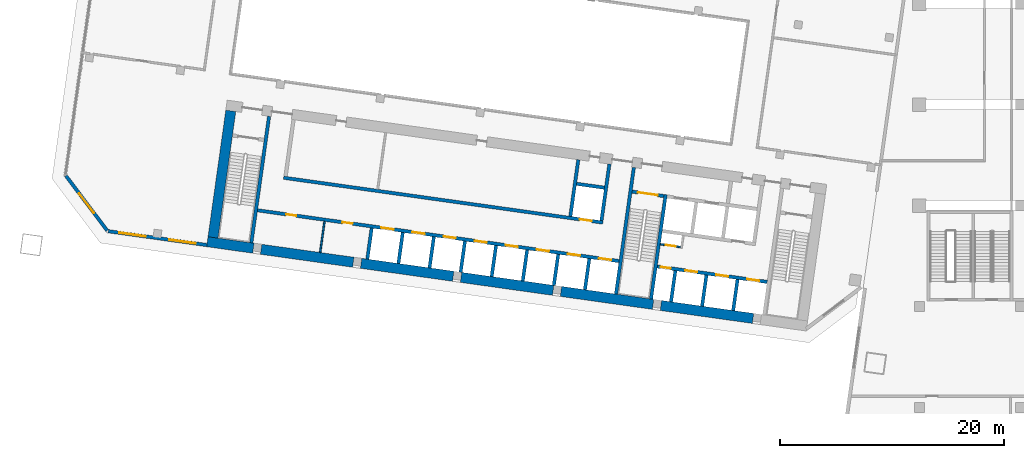
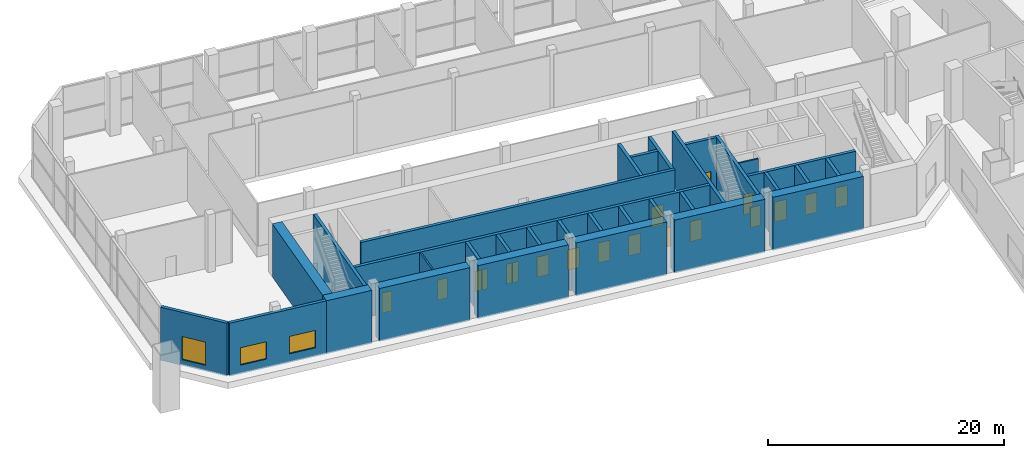
# One storey, part 9 of 24: 32 walls, 17 doors, 3 windows, 20 openings.
"""IFC4 building model written with IfcOpenShell, lengths in metres."""

from ifc_helpers import new_model, si_unit, direction, frame, frame_2d, origin, place, context, subcontext, project, spatial, rectangle, extrude, material, layer, layer_set, type_object, element, fill, save


model = new_model("IFC4")

# Units and contexts
model_context = context("Model", 3, precision=1e-05, world=origin(), true_north=direction((0.0, 1.0)))
body_context = subcontext(model_context, "Body", "Model", "MODEL_VIEW")
ifc_project = project(units=[si_unit("LENGTHUNIT", "METRE"), si_unit("AREAUNIT", "SQUARE_METRE"), si_unit("VOLUMEUNIT", "CUBIC_METRE"), si_unit("PLANEANGLEUNIT", "RADIAN"), si_unit("MASSUNIT", "GRAM", prefix="KILO")], contexts=[model_context])

# Site, building, storey
site_placement = place(None, origin())
site = spatial("IfcSite", under=ifc_project, at=site_placement, CompositionType="ELEMENT")
building_placement = place(site_placement, origin())
building = spatial("IfcBuilding", under=site, at=building_placement, Name="Mirante Cascada Hotel Towers", CompositionType="ELEMENT")
storey_placement = place(building_placement, frame((0.0, 0.0, 17.5)))
storey = spatial("IfcBuildingStorey", under=building, at=storey_placement, Name="L02", CompositionType="ELEMENT", Elevation=17.5)

# Wall, opening, door
ifc_material_1 = material(Name="Masonry block", Category="masonry")
ifc_layer_1 = layer(ifc_material_1, 0.15)
ifc_layer_set_1 = layer_set([ifc_layer_1], Name="Core room partition 150 block EI 30")
wall_type_1 = type_object("IfcWallType", Name="Core room partition 150 block EI 30", PredefinedType="PARTITIONING", material=ifc_layer_set_1)
wall_1_placement = place(storey_placement, frame((-48.2933, -12.7083, 0.0), z_axis=(0.0, 0.0, 1.0), x_axis=(-0.990268, 0.1391734, 0.0)))
wall_1 = element("IfcWall", 1, at=wall_1_placement, inside=storey, type_object=wall_type_1, Name="Core wall partition T1 L02 3", PredefinedType="PARTITIONING", context=body_context, shape_type="SweptSolid", body=[
    extrude(rectangle(XDim=1.8251, YDim=0.15, at=frame_2d((0.9126, 0.0))), origin(), (0.0, 0.0, 1.0), 5.5),
])
opening_1_placement = place(wall_1_placement, frame((0.4625, 0.0, 0.0)))
opening_1 = element("IfcOpeningElement", 2, at=opening_1_placement, cuts=wall_1, Name="Opening D1-02-C26", PredefinedType="OPENING", context=body_context, shape_type="SweptSolid", body=[
    extrude(rectangle(XDim=0.9, YDim=2.1, at=frame_2d((0.45, 1.05))), frame((0.0, 0.075, 0.0), z_axis=(0.0, -1.0, 0.0), x_axis=(1.0, 0.0, 0.0)), (0.0, 0.0, 1.0), 0.15),
])
ifc_material_2 = material(Name="Hollow metal fire door leaf")
door_type_1 = type_object("IfcDoorType", Name="Fire door 900x2100 FD60", OperationType="NOTDEFINED", PredefinedType="DOOR", material=ifc_material_2)
door_1_placement = place(opening_1_placement, origin())
door_1 = element("IfcDoor", 3, at=door_1_placement, inside=storey, type_object=door_type_1, Name="Riser door T1 L02 26", OperationType="SINGLE_SWING_RIGHT", OverallHeight=2.1, OverallWidth=0.9, PredefinedType="DOOR", context=body_context, shape_type="SweptSolid", body=[
    extrude(rectangle(XDim=0.9, YDim=2.1, at=frame_2d((0.45, 1.05))), frame((0.0, 0.025, 0.0), z_axis=(0.0, -1.0, 0.0), x_axis=(1.0, 0.0, 0.0)), (0.0, 0.0, 1.0), 0.05),
])
fill(opening_1, door_1)

# Wall
wall_2_placement = place(storey_placement, frame((-80.448, -13.1879, 0.0), z_axis=(0.0, 0.0, 1.0), x_axis=(0.139176, 0.9902677, 0.0)))
element("IfcWall", 4, at=wall_2_placement, inside=storey, type_object=wall_type_1, Name="Core wall partition T1 L02 4", PredefinedType="PARTITIONING", context=body_context, shape_type="SweptSolid", body=[
    extrude(rectangle(XDim=2.8001, YDim=0.15, at=frame_2d((1.4, 0.0))), origin(), (0.0, 0.0, 1.0), 5.5),
])

# Wall, openings, windows
ifc_material_3 = material(Name="Precast concrete C40/50", Category="concrete")
ifc_layer_2 = layer(ifc_material_3, 0.3)
ifc_layer_set_2 = layer_set([ifc_layer_2], Name="Precast concrete C40/50 cladding wall 300")
wall_type_2 = type_object("IfcWallType", Name="Precast concrete C40/50 cladding wall 300", PredefinedType="STANDARD", material=ifc_layer_set_2)
wall_3_placement = place(storey_placement, frame((-90.5541, -12.5249, 0.0), z_axis=(0.0, 0.0, 1.0), x_axis=(-0.9902676, 0.1391765, 0.0)))
wall_3 = element("IfcWall", 5, at=wall_3_placement, inside=storey, type_object=wall_type_2, Name="Rear cladding wall T1 L02 1", PredefinedType="STANDARD", context=body_context, shape_type="SweptSolid", body=[
    extrude(rectangle(XDim=8.8758, YDim=0.3, at=frame_2d((4.4379, 0.0))), origin(), (0.0, 0.0, 1.0), 5.5),
])
opening_2_placement = place(wall_3_placement, frame((1.0012, 0.0, 0.9)))
opening_2 = element("IfcOpeningElement", 6, at=opening_2_placement, cuts=wall_3, Name="Opening W1-02-01", PredefinedType="OPENING", context=body_context, shape_type="SweptSolid", body=[
    extrude(rectangle(XDim=2.4, YDim=1.8, at=frame_2d((1.2, 0.9))), frame((0.0, 0.15, 0.0), z_axis=(0.0, -1.0, 0.0), x_axis=(1.0, 0.0, 0.0)), (0.0, 0.0, 1.0), 0.3),
])
opening_3_placement = place(wall_3_placement, frame((5.4923, 0.0, 0.9)))
opening_3 = element("IfcOpeningElement", 7, at=opening_3_placement, cuts=wall_3, Name="Opening W1-02-02", PredefinedType="OPENING", context=body_context, shape_type="SweptSolid", body=[
    extrude(rectangle(XDim=2.4, YDim=1.8, at=frame_2d((1.2, 0.9))), frame((0.0, 0.15, 0.0), z_axis=(0.0, -1.0, 0.0), x_axis=(1.0, 0.0, 0.0)), (0.0, 0.0, 1.0), 0.3),
])
ifc_material_4 = material(Name="Aluminium frame with clear double glazing", Category="aluminium")
window_type_1 = type_object("IfcWindowType", Name="Punched window 2400x1800", PartitioningType="DOUBLE_PANEL_VERTICAL", PredefinedType="WINDOW", material=ifc_material_4)
window_1_placement = place(opening_2_placement, origin())
window_1 = element("IfcWindow", 8, at=window_1_placement, inside=storey, type_object=window_type_1, Name="Window W1-02-01", OverallHeight=1.8, OverallWidth=2.4, PartitioningType="SINGLE_PANEL", PredefinedType="WINDOW", context=body_context, shape_type="SweptSolid", body=[
    extrude(rectangle(XDim=2.4, YDim=1.8, at=frame_2d((1.2, 0.9))), frame((0.0, 0.03, 0.0), z_axis=(0.0, -1.0, 0.0), x_axis=(1.0, 0.0, 0.0)), (0.0, 0.0, 1.0), 0.06),
])
fill(opening_2, window_1)
window_2_placement = place(opening_3_placement, origin())
window_2 = element("IfcWindow", 9, at=window_2_placement, inside=storey, type_object=window_type_1, Name="Window W1-02-02", OverallHeight=1.8, OverallWidth=2.4, PartitioningType="SINGLE_PANEL", PredefinedType="WINDOW", context=body_context, shape_type="SweptSolid", body=[
    extrude(rectangle(XDim=2.4, YDim=1.8, at=frame_2d((1.2, 0.9))), frame((0.0, 0.03, 0.0), z_axis=(0.0, -1.0, 0.0), x_axis=(1.0, 0.0, 0.0)), (0.0, 0.0, 1.0), 0.06),
])
fill(opening_3, window_2)

# Wall, opening, window
wall_4_placement = place(storey_placement, frame((-99.4424, -11.2313, 0.0), z_axis=(0.0, 0.0, 1.0), x_axis=(-0.6018194, 0.7986322, 0.0)))
wall_4 = element("IfcWall", 10, at=wall_4_placement, inside=storey, type_object=wall_type_2, Name="Corner cladding wall T1 L02 rear outer", PredefinedType="STANDARD", context=body_context, shape_type="SweptSolid", body=[
    extrude(rectangle(XDim=6.1155, YDim=0.3, at=frame_2d((3.0578, 0.0))), origin(), (0.0, 0.0, 1.0), 5.5),
])
opening_4_placement = place(wall_4_placement, frame((1.9576, 0.0, 0.6)))
opening_4 = element("IfcOpeningElement", 11, at=opening_4_placement, cuts=wall_4, Name="Opening W1-02-03", PredefinedType="OPENING", context=body_context, shape_type="SweptSolid", body=[
    extrude(rectangle(XDim=2.2, YDim=2.4, at=frame_2d((1.1, 1.2))), frame((0.0, 0.15, 0.0), z_axis=(0.0, -1.0, 0.0), x_axis=(1.0, 0.0, 0.0)), (0.0, 0.0, 1.0), 0.3),
])
ifc_material_5 = material(Name="Aluminium frame with clear double glazing", Category="aluminium")
window_type_2 = type_object("IfcWindowType", Name="Corner suite window 2200x2400", PartitioningType="DOUBLE_PANEL_VERTICAL", PredefinedType="WINDOW", material=ifc_material_5)
window_3_placement = place(opening_4_placement, origin())
window_3 = element("IfcWindow", 12, at=window_3_placement, inside=storey, type_object=window_type_2, Name="Window W1-02-03", OverallHeight=2.4, OverallWidth=2.2, PartitioningType="SINGLE_PANEL", PredefinedType="WINDOW", context=body_context, shape_type="SweptSolid", body=[
    extrude(rectangle(XDim=2.2, YDim=2.4, at=frame_2d((1.1, 1.2))), frame((0.0, 0.03, 0.0), z_axis=(0.0, -1.0, 0.0), x_axis=(1.0, 0.0, 0.0)), (0.0, 0.0, 1.0), 0.06),
])
fill(opening_4, window_3)

# Walls
ifc_material_6 = material(Name="Concrete C50/60", Category="concrete")
ifc_layer_3 = layer(ifc_material_6, 0.3)
ifc_layer_set_3 = layer_set([ifc_layer_3], Name="RC core wall 300 C50/60")
wall_type_3 = type_object("IfcWallType", Name="RC core wall 300 C50/60", PredefinedType="SHEAR", material=ifc_layer_set_3)
wall_5_placement = place(storey_placement, frame((-50.938, -17.3352, 0.0), z_axis=(0.0, 0.0, 1.0), x_axis=(0.1391706, 0.9902684, 0.0)))
element("IfcWall", 13, at=wall_5_placement, inside=storey, type_object=wall_type_3, Name="Core wall T1:L02:6", PredefinedType="SHEAR", context=body_context, shape_type="SweptSolid", body=[
    extrude(rectangle(XDim=9.4, YDim=0.3, at=frame_2d((4.7, 0.0))), origin(), (0.0, 0.0, 1.0), 5.5),
])
wall_6_placement = place(storey_placement, frame((-54.0574, -16.8968, 0.0), z_axis=(0.0, 0.0, 1.0), x_axis=(0.1391761, 0.9902677, 0.0)))
element("IfcWall", 14, at=wall_6_placement, inside=storey, type_object=wall_type_3, Name="Core wall T1:L02:7", PredefinedType="SHEAR", context=body_context, shape_type="SweptSolid", body=[
    extrude(rectangle(XDim=11.3999, YDim=0.3, at=frame_2d((5.7, 0.0))), origin(), (0.0, 0.0, 1.0), 5.5),
])
wall_7_placement = place(storey_placement, frame((-86.5877, -12.325, 0.0), z_axis=(0.0, 0.0, 1.0), x_axis=(0.1391749, 0.9902678, 0.0)))
element("IfcWall", 15, at=wall_7_placement, inside=storey, type_object=wall_type_3, Name="Core wall T1:L02:8", PredefinedType="SHEAR", context=body_context, shape_type="SweptSolid", body=[
    extrude(rectangle(XDim=11.4, YDim=0.3, at=frame_2d((5.7, 0.0))), origin(), (0.0, 0.0, 1.0), 5.5),
])

# Wall, opening, door
wall_8_placement = place(storey_placement, frame((-49.7992, -8.1544, 0.0), z_axis=(0.0, 0.0, 1.0), x_axis=(-0.9902656, 0.1391909, 0.0)))
wall_8 = element("IfcWall", 16, at=wall_8_placement, inside=storey, type_object=wall_type_3, Name="Core wall T1:L02:10", PredefinedType="SHEAR", context=body_context, shape_type="SweptSolid", body=[
    extrude(rectangle(XDim=2.85, YDim=0.3, at=frame_2d((1.425, 0.0))), origin(), (0.0, 0.0, 1.0), 5.5),
])
opening_5_placement = place(wall_8_placement, frame((0.525, 0.0, 0.0)))
opening_5 = element("IfcOpeningElement", 17, at=opening_5_placement, cuts=wall_8, Name="Opening D1-02-C18", PredefinedType="OPENING", context=body_context, shape_type="SweptSolid", body=[
    extrude(rectangle(XDim=1.8, YDim=2.1, at=frame_2d((0.9, 1.05))), frame((0.0, 0.15, 0.0), z_axis=(0.0, -1.0, 0.0), x_axis=(1.0, 0.0, 0.0)), (0.0, 0.0, 1.0), 0.3),
])
ifc_material_7 = material(Name="Hollow metal fire door leaf")
door_type_2 = type_object("IfcDoorType", Name="Double fire door 1800x2100 FD60", OperationType="DOUBLE_DOOR_SINGLE_SWING", PredefinedType="DOOR", material=ifc_material_7)
door_2_placement = place(opening_5_placement, origin())
door_2 = element("IfcDoor", 18, at=door_2_placement, inside=storey, type_object=door_type_2, Name="Stair door T1 L02 18", OperationType="DOUBLE_DOOR_SINGLE_SWING", OverallHeight=2.1, OverallWidth=1.8, PredefinedType="DOOR", context=body_context, shape_type="SweptSolid", body=[
    extrude(rectangle(XDim=0.895, YDim=2.1, at=frame_2d((0.4475, 1.05))), frame((0.0, 0.025, 0.0), z_axis=(0.0, -1.0, 0.0), x_axis=(1.0, 0.0, 0.0)), (0.0, 0.0, 1.0), 0.05),
    extrude(rectangle(XDim=0.895, YDim=2.1, at=frame_2d((1.3525, 1.05))), frame((0.0, 0.025, 0.0), z_axis=(0.0, -1.0, 0.0), x_axis=(1.0, 0.0, 0.0)), (0.0, 0.0, 1.0), 0.05),
])
fill(opening_5, door_2)

# Wall, openings, doors
wall_9_placement = place(storey_placement, frame((-40.5753, -15.8126, 0.0), z_axis=(0.0, 0.0, 1.0), x_axis=(-0.9902682, 0.1391725, 0.0)))
wall_9 = element("IfcWall", 19, at=wall_9_placement, inside=storey, type_object=wall_type_3, Name="Core wall T1:L02:12", PredefinedType="SHEAR", context=body_context, shape_type="SweptSolid", body=[
    extrude(rectangle(XDim=9.8999, YDim=0.3, at=frame_2d((4.95, 0.0))), origin(), (0.0, 0.0, 1.0), 5.5),
])
opening_6_placement = place(wall_9_placement, frame((0.7, 0.0, 0.0)))
opening_6 = element("IfcOpeningElement", 20, at=opening_6_placement, cuts=wall_9, Name="Opening LD", PredefinedType="OPENING", context=body_context, shape_type="SweptSolid", body=[
    extrude(rectangle(XDim=1.1, YDim=2.1, at=frame_2d((0.55, 1.05))), frame((0.0, 0.15, 0.0), z_axis=(0.0, -1.0, 0.0), x_axis=(1.0, 0.0, 0.0)), (0.0, 0.0, 1.0), 0.3),
])
opening_7_placement = place(wall_9_placement, frame((3.5, 0.0, 0.0)))
opening_7 = element("IfcOpeningElement", 21, at=opening_7_placement, cuts=wall_9, Name="Opening LD", PredefinedType="OPENING", context=body_context, shape_type="SweptSolid", body=[
    extrude(rectangle(XDim=1.1, YDim=2.1, at=frame_2d((0.55, 1.05))), frame((0.0, 0.15, 0.0), z_axis=(0.0, -1.0, 0.0), x_axis=(1.0, 0.0, 0.0)), (0.0, 0.0, 1.0), 0.3),
])
opening_8_placement = place(wall_9_placement, frame((6.3, 0.0, 0.0)))
opening_8 = element("IfcOpeningElement", 22, at=opening_8_placement, cuts=wall_9, Name="Opening LD", PredefinedType="OPENING", context=body_context, shape_type="SweptSolid", body=[
    extrude(rectangle(XDim=1.1, YDim=2.1, at=frame_2d((0.55, 1.05))), frame((0.0, 0.15, 0.0), z_axis=(0.0, -1.0, 0.0), x_axis=(1.0, 0.0, 0.0)), (0.0, 0.0, 1.0), 0.3),
])
opening_9_placement = place(wall_9_placement, frame((8.7, 0.0, 0.0)))
opening_9 = element("IfcOpeningElement", 23, at=opening_9_placement, cuts=wall_9, Name="Opening D1-02-C25", PredefinedType="OPENING", context=body_context, shape_type="SweptSolid", body=[
    extrude(rectangle(XDim=0.9, YDim=2.1, at=frame_2d((0.45, 1.05))), frame((0.0, 0.15, 0.0), z_axis=(0.0, -1.0, 0.0), x_axis=(1.0, 0.0, 0.0)), (0.0, 0.0, 1.0), 0.3),
])
door_3_placement = place(opening_9_placement, origin())
door_3 = element("IfcDoor", 24, at=door_3_placement, inside=storey, type_object=door_type_1, Name="Riser door T1 L02 25", OperationType="SINGLE_SWING_LEFT", OverallHeight=2.1, OverallWidth=0.9, PredefinedType="DOOR", context=body_context, shape_type="SweptSolid", body=[
    extrude(rectangle(XDim=0.9, YDim=2.1, at=frame_2d((0.45, 1.05))), frame((0.0, 0.025, 0.0), z_axis=(0.0, -1.0, 0.0), x_axis=(1.0, 0.0, 0.0)), (0.0, 0.0, 1.0), 0.05),
])
fill(opening_9, door_3)
ifc_material_8 = material(Name="Stainless steel", Category="steel")
door_type_3 = type_object("IfcDoorType", Name="Lift landing door 1100x2100 EI 120", OperationType="DOUBLE_DOOR_SLIDING", PredefinedType="DOOR", material=ifc_material_8)
door_4_placement = place(opening_6_placement, origin())
door_4 = element("IfcDoor", 25, at=door_4_placement, inside=storey, type_object=door_type_3, Name="Lift landing door HR1-1 L02", OperationType="DOUBLE_DOOR_SLIDING", OverallHeight=2.1, OverallWidth=1.1, PredefinedType="DOOR", context=body_context, shape_type="SweptSolid", body=[
    extrude(rectangle(XDim=0.545, YDim=2.1, at=frame_2d((0.2725, 1.05))), frame((0.0, 0.025, 0.0), z_axis=(0.0, -1.0, 0.0), x_axis=(1.0, 0.0, 0.0)), (0.0, 0.0, 1.0), 0.05),
    extrude(rectangle(XDim=0.545, YDim=2.1, at=frame_2d((0.8275, 1.05))), frame((0.0, 0.025, 0.0), z_axis=(0.0, -1.0, 0.0), x_axis=(1.0, 0.0, 0.0)), (0.0, 0.0, 1.0), 0.05),
])
fill(opening_6, door_4)
door_5_placement = place(opening_7_placement, origin())
door_5 = element("IfcDoor", 26, at=door_5_placement, inside=storey, type_object=door_type_3, Name="Lift landing door HR1-2 L02", OperationType="DOUBLE_DOOR_SLIDING", OverallHeight=2.1, OverallWidth=1.1, PredefinedType="DOOR", context=body_context, shape_type="SweptSolid", body=[
    extrude(rectangle(XDim=0.545, YDim=2.1, at=frame_2d((0.2725, 1.05))), frame((0.0, 0.025, 0.0), z_axis=(0.0, -1.0, 0.0), x_axis=(1.0, 0.0, 0.0)), (0.0, 0.0, 1.0), 0.05),
    extrude(rectangle(XDim=0.545, YDim=2.1, at=frame_2d((0.8275, 1.05))), frame((0.0, 0.025, 0.0), z_axis=(0.0, -1.0, 0.0), x_axis=(1.0, 0.0, 0.0)), (0.0, 0.0, 1.0), 0.05),
])
fill(opening_7, door_5)
door_6_placement = place(opening_8_placement, origin())
door_6 = element("IfcDoor", 27, at=door_6_placement, inside=storey, type_object=door_type_3, Name="Lift landing door HR1-3 L02", OperationType="DOUBLE_DOOR_SLIDING", OverallHeight=2.1, OverallWidth=1.1, PredefinedType="DOOR", context=body_context, shape_type="SweptSolid", body=[
    extrude(rectangle(XDim=0.545, YDim=2.1, at=frame_2d((0.2725, 1.05))), frame((0.0, 0.025, 0.0), z_axis=(0.0, -1.0, 0.0), x_axis=(1.0, 0.0, 0.0)), (0.0, 0.0, 1.0), 0.05),
    extrude(rectangle(XDim=0.545, YDim=2.1, at=frame_2d((0.8275, 1.05))), frame((0.0, 0.025, 0.0), z_axis=(0.0, -1.0, 0.0), x_axis=(1.0, 0.0, 0.0)), (0.0, 0.0, 1.0), 0.05),
])
fill(opening_8, door_6)

# Walls
wall_10_placement = place(storey_placement, frame((-43.61, -18.3651, 0.0), z_axis=(0.0, 0.0, 1.0), x_axis=(0.1391459, 0.9902719, 0.0)))
element("IfcWall", 28, at=wall_10_placement, inside=storey, type_object=wall_type_3, Name="Core wall T1:L02:15", PredefinedType="SHEAR", context=body_context, shape_type="SweptSolid", body=[
    extrude(rectangle(XDim=2.7999, YDim=0.3, at=frame_2d((1.4, 0.0))), origin(), (0.0, 0.0, 1.0), 5.5),
])
wall_11_placement = place(storey_placement, frame((-46.3828, -17.9754, 0.0), z_axis=(0.0, 0.0, 1.0), x_axis=(0.139181, 0.990267, 0.0)))
element("IfcWall", 29, at=wall_11_placement, inside=storey, type_object=wall_type_3, Name="Core wall T1:L02:16", PredefinedType="SHEAR", context=body_context, shape_type="SweptSolid", body=[
    extrude(rectangle(XDim=2.8, YDim=0.3, at=frame_2d((1.4, 0.0))), origin(), (0.0, 0.0, 1.0), 5.5),
])
wall_12_placement = place(storey_placement, frame((-49.1555, -17.5857, 0.0), z_axis=(0.0, 0.0, 1.0), x_axis=(0.1391459, 0.9902719, 0.0)))
element("IfcWall", 30, at=wall_12_placement, inside=storey, type_object=wall_type_3, Name="Core wall T1:L02:17", PredefinedType="SHEAR", context=body_context, shape_type="SweptSolid", body=[
    extrude(rectangle(XDim=2.7999, YDim=0.3, at=frame_2d((1.4, 0.0))), origin(), (0.0, 0.0, 1.0), 5.5),
])

# Wall, openings, doors
wall_13_placement = place(storey_placement, frame((-53.7953, -13.9547, 0.0), z_axis=(0.0, 0.0, 1.0), x_axis=(-0.990268, 0.1391733, 0.0)))
wall_13 = element("IfcWall", 31, at=wall_13_placement, inside=storey, type_object=wall_type_3, Name="Core wall T1:L02:24", PredefinedType="SHEAR", context=body_context, shape_type="SweptSolid", body=[
    extrude(rectangle(XDim=32.5501, YDim=0.3, at=frame_2d((16.275, 0.0))), origin(), (0.0, 0.0, 1.0), 5.5),
])
opening_10_placement = place(wall_13_placement, frame((0.7, 0.0, 0.0)))
opening_10 = element("IfcOpeningElement", 32, at=opening_10_placement, cuts=wall_13, Name="Opening LD", PredefinedType="OPENING", context=body_context, shape_type="SweptSolid", body=[
    extrude(rectangle(XDim=1.1, YDim=2.1, at=frame_2d((0.55, 1.05))), frame((0.0, 0.15, 0.0), z_axis=(0.0, -1.0, 0.0), x_axis=(1.0, 0.0, 0.0)), (0.0, 0.0, 1.0), 0.3),
])
opening_11_placement = place(wall_13_placement, frame((3.5, 0.0, 0.0)))
opening_11 = element("IfcOpeningElement", 33, at=opening_11_placement, cuts=wall_13, Name="Opening LD", PredefinedType="OPENING", context=body_context, shape_type="SweptSolid", body=[
    extrude(rectangle(XDim=1.1, YDim=2.1, at=frame_2d((0.55, 1.05))), frame((0.0, 0.15, 0.0), z_axis=(0.0, -1.0, 0.0), x_axis=(1.0, 0.0, 0.0)), (0.0, 0.0, 1.0), 0.3),
])
opening_12_placement = place(wall_13_placement, frame((6.3, 0.0, 0.0)))
opening_12 = element("IfcOpeningElement", 34, at=opening_12_placement, cuts=wall_13, Name="Opening LD", PredefinedType="OPENING", context=body_context, shape_type="SweptSolid", body=[
    extrude(rectangle(XDim=1.1, YDim=2.1, at=frame_2d((0.55, 1.05))), frame((0.0, 0.15, 0.0), z_axis=(0.0, -1.0, 0.0), x_axis=(1.0, 0.0, 0.0)), (0.0, 0.0, 1.0), 0.3),
])
opening_13_placement = place(wall_13_placement, frame((9.1, 0.0, 0.0)))
opening_13 = element("IfcOpeningElement", 35, at=opening_13_placement, cuts=wall_13, Name="Opening LD", PredefinedType="OPENING", context=body_context, shape_type="SweptSolid", body=[
    extrude(rectangle(XDim=1.1, YDim=2.1, at=frame_2d((0.55, 1.05))), frame((0.0, 0.15, 0.0), z_axis=(0.0, -1.0, 0.0), x_axis=(1.0, 0.0, 0.0)), (0.0, 0.0, 1.0), 0.3),
])
opening_14_placement = place(wall_13_placement, frame((11.9, 0.0, 0.0)))
opening_14 = element("IfcOpeningElement", 36, at=opening_14_placement, cuts=wall_13, Name="Opening LD", PredefinedType="OPENING", context=body_context, shape_type="SweptSolid", body=[
    extrude(rectangle(XDim=1.1, YDim=2.1, at=frame_2d((0.55, 1.05))), frame((0.0, 0.15, 0.0), z_axis=(0.0, -1.0, 0.0), x_axis=(1.0, 0.0, 0.0)), (0.0, 0.0, 1.0), 0.3),
])
opening_15_placement = place(wall_13_placement, frame((14.7, 0.0, 0.0)))
opening_15 = element("IfcOpeningElement", 37, at=opening_15_placement, cuts=wall_13, Name="Opening LD", PredefinedType="OPENING", context=body_context, shape_type="SweptSolid", body=[
    extrude(rectangle(XDim=1.1, YDim=2.1, at=frame_2d((0.55, 1.05))), frame((0.0, 0.15, 0.0), z_axis=(0.0, -1.0, 0.0), x_axis=(1.0, 0.0, 0.0)), (0.0, 0.0, 1.0), 0.3),
])
opening_16_placement = place(wall_13_placement, frame((17.5, 0.0, 0.0)))
opening_16 = element("IfcOpeningElement", 38, at=opening_16_placement, cuts=wall_13, Name="Opening LD", PredefinedType="OPENING", context=body_context, shape_type="SweptSolid", body=[
    extrude(rectangle(XDim=1.1, YDim=2.1, at=frame_2d((0.55, 1.05))), frame((0.0, 0.15, 0.0), z_axis=(0.0, -1.0, 0.0), x_axis=(1.0, 0.0, 0.0)), (0.0, 0.0, 1.0), 0.3),
])
opening_17_placement = place(wall_13_placement, frame((20.3, 0.0, 0.0)))
opening_17 = element("IfcOpeningElement", 39, at=opening_17_placement, cuts=wall_13, Name="Opening LD", PredefinedType="OPENING", context=body_context, shape_type="SweptSolid", body=[
    extrude(rectangle(XDim=1.1, YDim=2.1, at=frame_2d((0.55, 1.05))), frame((0.0, 0.15, 0.0), z_axis=(0.0, -1.0, 0.0), x_axis=(1.0, 0.0, 0.0)), (0.0, 0.0, 1.0), 0.3),
])
opening_18_placement = place(wall_13_placement, frame((24.0, 0.0, 0.0)))
opening_18 = element("IfcOpeningElement", 40, at=opening_18_placement, cuts=wall_13, Name="Opening D1-02-C28", PredefinedType="OPENING", context=body_context, shape_type="SweptSolid", body=[
    extrude(rectangle(XDim=0.9, YDim=2.1, at=frame_2d((0.45, 1.05))), frame((0.0, 0.15, 0.0), z_axis=(0.0, -1.0, 0.0), x_axis=(1.0, 0.0, 0.0)), (0.0, 0.0, 1.0), 0.3),
])
opening_19_placement = place(wall_13_placement, frame((29.075, 0.0, 0.0)))
opening_19 = element("IfcOpeningElement", 41, at=opening_19_placement, cuts=wall_13, Name="Opening D1-02-C29", PredefinedType="OPENING", context=body_context, shape_type="SweptSolid", body=[
    extrude(rectangle(XDim=0.9, YDim=2.1, at=frame_2d((0.45, 1.05))), frame((0.0, 0.15, 0.0), z_axis=(0.0, -1.0, 0.0), x_axis=(1.0, 0.0, 0.0)), (0.0, 0.0, 1.0), 0.3),
])
door_7_placement = place(opening_18_placement, origin())
door_7 = element("IfcDoor", 42, at=door_7_placement, inside=storey, type_object=door_type_1, Name="Room door T1 L02 28", OperationType="SINGLE_SWING_LEFT", OverallHeight=2.1, OverallWidth=0.9, PredefinedType="DOOR", context=body_context, shape_type="SweptSolid", body=[
    extrude(rectangle(XDim=0.9, YDim=2.1, at=frame_2d((0.45, 1.05))), frame((0.0, 0.025, 0.0), z_axis=(0.0, -1.0, 0.0), x_axis=(1.0, 0.0, 0.0)), (0.0, 0.0, 1.0), 0.05),
])
fill(opening_18, door_7)
door_8_placement = place(opening_19_placement, origin())
door_8 = element("IfcDoor", 43, at=door_8_placement, inside=storey, type_object=door_type_1, Name="Room door T1 L02 29", OperationType="SINGLE_SWING_LEFT", OverallHeight=2.1, OverallWidth=0.9, PredefinedType="DOOR", context=body_context, shape_type="SweptSolid", body=[
    extrude(rectangle(XDim=0.9, YDim=2.1, at=frame_2d((0.45, 1.05))), frame((0.0, 0.025, 0.0), z_axis=(0.0, -1.0, 0.0), x_axis=(1.0, 0.0, 0.0)), (0.0, 0.0, 1.0), 0.05),
])
fill(opening_19, door_8)
door_9_placement = place(opening_10_placement, origin())
door_9 = element("IfcDoor", 44, at=door_9_placement, inside=storey, type_object=door_type_3, Name="Lift landing door LR1-1 L02", OperationType="DOUBLE_DOOR_SLIDING", OverallHeight=2.1, OverallWidth=1.1, PredefinedType="DOOR", context=body_context, shape_type="SweptSolid", body=[
    extrude(rectangle(XDim=0.545, YDim=2.1, at=frame_2d((0.2725, 1.05))), frame((0.0, 0.025, 0.0), z_axis=(0.0, -1.0, 0.0), x_axis=(1.0, 0.0, 0.0)), (0.0, 0.0, 1.0), 0.05),
    extrude(rectangle(XDim=0.545, YDim=2.1, at=frame_2d((0.8275, 1.05))), frame((0.0, 0.025, 0.0), z_axis=(0.0, -1.0, 0.0), x_axis=(1.0, 0.0, 0.0)), (0.0, 0.0, 1.0), 0.05),
])
fill(opening_10, door_9)
door_10_placement = place(opening_11_placement, origin())
door_10 = element("IfcDoor", 45, at=door_10_placement, inside=storey, type_object=door_type_3, Name="Lift landing door LR1-2 L02", OperationType="DOUBLE_DOOR_SLIDING", OverallHeight=2.1, OverallWidth=1.1, PredefinedType="DOOR", context=body_context, shape_type="SweptSolid", body=[
    extrude(rectangle(XDim=0.545, YDim=2.1, at=frame_2d((0.2725, 1.05))), frame((0.0, 0.025, 0.0), z_axis=(0.0, -1.0, 0.0), x_axis=(1.0, 0.0, 0.0)), (0.0, 0.0, 1.0), 0.05),
    extrude(rectangle(XDim=0.545, YDim=2.1, at=frame_2d((0.8275, 1.05))), frame((0.0, 0.025, 0.0), z_axis=(0.0, -1.0, 0.0), x_axis=(1.0, 0.0, 0.0)), (0.0, 0.0, 1.0), 0.05),
])
fill(opening_11, door_10)
door_11_placement = place(opening_12_placement, origin())
door_11 = element("IfcDoor", 46, at=door_11_placement, inside=storey, type_object=door_type_3, Name="Lift landing door SV1-1 L02", OperationType="DOUBLE_DOOR_SLIDING", OverallHeight=2.1, OverallWidth=1.1, PredefinedType="DOOR", context=body_context, shape_type="SweptSolid", body=[
    extrude(rectangle(XDim=0.545, YDim=2.1, at=frame_2d((0.2725, 1.05))), frame((0.0, 0.025, 0.0), z_axis=(0.0, -1.0, 0.0), x_axis=(1.0, 0.0, 0.0)), (0.0, 0.0, 1.0), 0.05),
    extrude(rectangle(XDim=0.545, YDim=2.1, at=frame_2d((0.8275, 1.05))), frame((0.0, 0.025, 0.0), z_axis=(0.0, -1.0, 0.0), x_axis=(1.0, 0.0, 0.0)), (0.0, 0.0, 1.0), 0.05),
])
fill(opening_12, door_11)
door_12_placement = place(opening_13_placement, origin())
door_12 = element("IfcDoor", 47, at=door_12_placement, inside=storey, type_object=door_type_3, Name="Lift landing door SV1-2 L02", OperationType="DOUBLE_DOOR_SLIDING", OverallHeight=2.1, OverallWidth=1.1, PredefinedType="DOOR", context=body_context, shape_type="SweptSolid", body=[
    extrude(rectangle(XDim=0.545, YDim=2.1, at=frame_2d((0.2725, 1.05))), frame((0.0, 0.025, 0.0), z_axis=(0.0, -1.0, 0.0), x_axis=(1.0, 0.0, 0.0)), (0.0, 0.0, 1.0), 0.05),
    extrude(rectangle(XDim=0.545, YDim=2.1, at=frame_2d((0.8275, 1.05))), frame((0.0, 0.025, 0.0), z_axis=(0.0, -1.0, 0.0), x_axis=(1.0, 0.0, 0.0)), (0.0, 0.0, 1.0), 0.05),
])
fill(opening_13, door_12)
door_13_placement = place(opening_14_placement, origin())
door_13 = element("IfcDoor", 48, at=door_13_placement, inside=storey, type_object=door_type_3, Name="Lift landing door SV1-3 L02", OperationType="DOUBLE_DOOR_SLIDING", OverallHeight=2.1, OverallWidth=1.1, PredefinedType="DOOR", context=body_context, shape_type="SweptSolid", body=[
    extrude(rectangle(XDim=0.545, YDim=2.1, at=frame_2d((0.2725, 1.05))), frame((0.0, 0.025, 0.0), z_axis=(0.0, -1.0, 0.0), x_axis=(1.0, 0.0, 0.0)), (0.0, 0.0, 1.0), 0.05),
    extrude(rectangle(XDim=0.545, YDim=2.1, at=frame_2d((0.8275, 1.05))), frame((0.0, 0.025, 0.0), z_axis=(0.0, -1.0, 0.0), x_axis=(1.0, 0.0, 0.0)), (0.0, 0.0, 1.0), 0.05),
])
fill(opening_14, door_13)
door_14_placement = place(opening_15_placement, origin())
door_14 = element("IfcDoor", 49, at=door_14_placement, inside=storey, type_object=door_type_3, Name="Lift landing door SV1-4 L02", OperationType="DOUBLE_DOOR_SLIDING", OverallHeight=2.1, OverallWidth=1.1, PredefinedType="DOOR", context=body_context, shape_type="SweptSolid", body=[
    extrude(rectangle(XDim=0.545, YDim=2.1, at=frame_2d((0.2725, 1.05))), frame((0.0, 0.025, 0.0), z_axis=(0.0, -1.0, 0.0), x_axis=(1.0, 0.0, 0.0)), (0.0, 0.0, 1.0), 0.05),
    extrude(rectangle(XDim=0.545, YDim=2.1, at=frame_2d((0.8275, 1.05))), frame((0.0, 0.025, 0.0), z_axis=(0.0, -1.0, 0.0), x_axis=(1.0, 0.0, 0.0)), (0.0, 0.0, 1.0), 0.05),
])
fill(opening_15, door_14)
door_15_placement = place(opening_16_placement, origin())
door_15 = element("IfcDoor", 50, at=door_15_placement, inside=storey, type_object=door_type_3, Name="Lift landing door PS1-1 L02", OperationType="DOUBLE_DOOR_SLIDING", OverallHeight=2.1, OverallWidth=1.1, PredefinedType="DOOR", context=body_context, shape_type="SweptSolid", body=[
    extrude(rectangle(XDim=0.545, YDim=2.1, at=frame_2d((0.2725, 1.05))), frame((0.0, 0.025, 0.0), z_axis=(0.0, -1.0, 0.0), x_axis=(1.0, 0.0, 0.0)), (0.0, 0.0, 1.0), 0.05),
    extrude(rectangle(XDim=0.545, YDim=2.1, at=frame_2d((0.8275, 1.05))), frame((0.0, 0.025, 0.0), z_axis=(0.0, -1.0, 0.0), x_axis=(1.0, 0.0, 0.0)), (0.0, 0.0, 1.0), 0.05),
])
fill(opening_16, door_15)
door_16_placement = place(opening_17_placement, origin())
door_16 = element("IfcDoor", 51, at=door_16_placement, inside=storey, type_object=door_type_3, Name="Lift landing door PS1-2 L02", OperationType="DOUBLE_DOOR_SLIDING", OverallHeight=2.1, OverallWidth=1.1, PredefinedType="DOOR", context=body_context, shape_type="SweptSolid", body=[
    extrude(rectangle(XDim=0.545, YDim=2.1, at=frame_2d((0.2725, 1.05))), frame((0.0, 0.025, 0.0), z_axis=(0.0, -1.0, 0.0), x_axis=(1.0, 0.0, 0.0)), (0.0, 0.0, 1.0), 0.05),
    extrude(rectangle(XDim=0.545, YDim=2.1, at=frame_2d((0.8275, 1.05))), frame((0.0, 0.025, 0.0), z_axis=(0.0, -1.0, 0.0), x_axis=(1.0, 0.0, 0.0)), (0.0, 0.0, 1.0), 0.05),
])
fill(opening_17, door_16)

# Walls
for number, where, z_axis, x_axis, name in (
    (52, (-56.8301, -16.5072, 0.0), (0.0, 0.0, 1.0), (0.139176, 0.9902677, 0.0), "Core wall T1:L02:25"),
    (53, (-59.6029, -16.1175, 0.0), (0.0, 0.0, 1.0), (0.139176, 0.9902677, 0.0), "Core wall T1:L02:26"),
    (54, (-62.3756, -15.7278, 0.0), (0.0, 0.0, 1.0), (0.139176, 0.9902677, 0.0), "Core wall T1:L02:27"),
    (55, (-65.1484, -15.3381, 0.0), (0.0, 0.0, 1.0), (0.139176, 0.9902677, 0.0), "Core wall T1:L02:28"),
):
    element("IfcWall", number, at=place(storey_placement, frame(where, z_axis=z_axis, x_axis=x_axis)), inside=storey, type_object=wall_type_3, Name=name, PredefinedType="SHEAR", context=body_context, shape_type="SweptSolid", body=[
        extrude(rectangle(XDim=2.8001, YDim=0.3, at=frame_2d((1.4, 0.0))), origin(), (0.0, 0.0, 1.0), 5.5),
    ])
for number, where, z_axis, x_axis, name in (
    (56, (-67.9211, -14.9484, 0.0), (0.0, 0.0, 1.0), (0.139181, 0.990267, 0.0), "Core wall T1:L02:29"),
    (57, (-70.6939, -14.5587, 0.0), (0.0, 0.0, 1.0), (0.139181, 0.990267, 0.0), "Core wall T1:L02:30"),
    (58, (-73.4666, -14.169, 0.0), (0.0, 0.0, 1.0), (0.139181, 0.990267, 0.0), "Core wall T1:L02:31"),
):
    element("IfcWall", number, at=place(storey_placement, frame(where, z_axis=z_axis, x_axis=x_axis)), inside=storey, type_object=wall_type_3, Name=name, PredefinedType="SHEAR", context=body_context, shape_type="SweptSolid", body=[
        extrude(rectangle(XDim=2.8, YDim=0.3, at=frame_2d((1.4, 0.0))), origin(), (0.0, 0.0, 1.0), 5.5),
    ])
wall_14_placement = place(storey_placement, frame((-76.2394, -13.7794, 0.0), z_axis=(0.0, 0.0, 1.0), x_axis=(0.139176, 0.9902677, 0.0)))
element("IfcWall", 59, at=wall_14_placement, inside=storey, type_object=wall_type_3, Name="Core wall T1:L02:32", PredefinedType="SHEAR", context=body_context, shape_type="SweptSolid", body=[
    extrude(rectangle(XDim=2.8001, YDim=0.3, at=frame_2d((1.4, 0.0))), origin(), (0.0, 0.0, 1.0), 5.5),
])

# Wall, opening, door
wall_15_placement = place(storey_placement, frame((-55.2315, -10.5214, 0.0), z_axis=(0.0, 0.0, 1.0), x_axis=(-0.9902682, 0.1391722, 0.0)))
wall_15 = element("IfcWall", 60, at=wall_15_placement, inside=storey, type_object=wall_type_3, Name="Core wall T1:L02:34", PredefinedType="SHEAR", context=body_context, shape_type="SweptSolid", body=[
    extrude(rectangle(XDim=28.75, YDim=0.3, at=frame_2d((14.375, 0.0))), origin(), (0.0, 0.0, 1.0), 5.5),
])
opening_20_placement = place(wall_15_placement, frame((1.0, 0.0, 0.0)))
opening_20 = element("IfcOpeningElement", 61, at=opening_20_placement, cuts=wall_15, Name="Opening LD", PredefinedType="OPENING", context=body_context, shape_type="SweptSolid", body=[
    extrude(rectangle(XDim=1.1, YDim=2.1, at=frame_2d((0.55, 1.05))), frame((0.0, 0.15, 0.0), z_axis=(0.0, -1.0, 0.0), x_axis=(1.0, 0.0, 0.0)), (0.0, 0.0, 1.0), 0.3),
])
door_17_placement = place(opening_20_placement, origin())
door_17 = element("IfcDoor", 62, at=door_17_placement, inside=storey, type_object=door_type_3, Name="Lift landing door LR1-3 L02", OperationType="DOUBLE_DOOR_SLIDING", OverallHeight=2.1, OverallWidth=1.1, PredefinedType="DOOR", context=body_context, shape_type="SweptSolid", body=[
    extrude(rectangle(XDim=0.545, YDim=2.1, at=frame_2d((0.2725, 1.05))), frame((0.0, 0.025, 0.0), z_axis=(0.0, -1.0, 0.0), x_axis=(1.0, 0.0, 0.0)), (0.0, 0.0, 1.0), 0.05),
    extrude(rectangle(XDim=0.545, YDim=2.1, at=frame_2d((0.8275, 1.05))), frame((0.0, 0.025, 0.0), z_axis=(0.0, -1.0, 0.0), x_axis=(1.0, 0.0, 0.0)), (0.0, 0.0, 1.0), 0.05),
])
fill(opening_20, door_17)

# Walls
for number, where, z_axis, x_axis, name in (
    (63, (-55.3592, -10.352, 0.0), (0.0, 0.0, 1.0), (0.1391755, 0.9902677, 0.0), "Core wall T1:L02:35"),
    (64, (-58.1319, -9.9623, 0.0), (0.0, 0.0, 1.0), (0.1391755, 0.9902677, 0.0), "Core wall T1:L02:37"),
):
    element("IfcWall", number, at=place(storey_placement, frame(where, z_axis=z_axis, x_axis=x_axis)), inside=storey, type_object=wall_type_3, Name=name, PredefinedType="SHEAR", context=body_context, shape_type="SweptSolid", body=[
        extrude(rectangle(XDim=5.1, YDim=0.3, at=frame_2d((2.55, 0.0))), origin(), (0.0, 0.0, 1.0), 5.5),
    ])
wall_16_placement = place(storey_placement, frame((-55.0971, -7.4098, 0.0), z_axis=(0.0, 0.0, 1.0), x_axis=(-0.9902701, 0.1391586, 0.0)))
element("IfcWall", 65, at=wall_16_placement, inside=storey, type_object=wall_type_3, Name="Core wall T1:L02:38", PredefinedType="SHEAR", context=body_context, shape_type="SweptSolid", body=[
    extrude(rectangle(XDim=2.5, YDim=0.3, at=frame_2d((1.25, 0.0))), origin(), (0.0, 0.0, 1.0), 5.5),
])
ifc_material_9 = material(Name="Concrete C50/60", Category="concrete")
ifc_layer_4 = layer(ifc_material_9, 0.9)
ifc_layer_set_4 = layer_set([ifc_layer_4], Name="RC core wall 900 C50/60")
wall_type_4 = type_object("IfcWallType", Name="RC core wall 900 C50/60", PredefinedType="SHEAR", material=ifc_layer_set_4)
for number, where, z_axis, x_axis, name in (
    (66, (-41.8407, -19.0682, 0.0), (0.0, 0.0, 1.0), (-0.9902686, 0.1391692, 0.0), "Core wall T1:L02:1.2"),
    (67, (-50.7531, -17.8156, 0.0), (0.0, 0.0, 1.0), (-0.9902686, 0.1391692, 0.0), "Core wall T1:L02:1.3"),
    (68, (-59.6655, -16.5631, 0.0), (0.0, 0.0, 1.0), (-0.9902686, 0.1391692, 0.0), "Core wall T1:L02:1.4"),
    (69, (-68.5779, -15.3105, 0.0), (0.0, 0.0, 1.0), (-0.9902686, 0.1391692, 0.0), "Core wall T1:L02:1.5"),
    (70, (-77.4903, -14.058, 0.0), (0.0, 0.0, 1.0), (-0.990267, 0.139181, 0.0), "Core wall T1:L02:1.6"),
):
    element("IfcWall", number, at=place(storey_placement, frame(where, z_axis=z_axis, x_axis=x_axis)), inside=storey, type_object=wall_type_4, Name=name, PredefinedType="SHEAR", context=body_context, shape_type="SweptSolid", body=[
        extrude(rectangle(XDim=8.3, YDim=0.9, at=frame_2d((4.15, 0.0))), origin(), (0.0, 0.0, 1.0), 5.5),
    ])
wall_17_placement = place(storey_placement, frame((-86.4027, -12.8054, 0.0), z_axis=(0.0, 0.0, 1.0), x_axis=(-0.990267, 0.139181, 0.0)))
element("IfcWall", 71, at=wall_17_placement, inside=storey, type_object=wall_type_4, Name="Core wall T1:L02:1.7", PredefinedType="SHEAR", context=body_context, shape_type="SweptSolid", body=[
    extrude(rectangle(XDim=4.15, YDim=0.9, at=frame_2d((2.075, 0.0))), origin(), (0.0, 0.0, 1.0), 5.5),
])
wall_18_placement = place(storey_placement, frame((-90.0041, -11.8449, 0.0), z_axis=(0.0, 0.0, 1.0), x_axis=(0.1391749, 0.9902678, 0.0)))
element("IfcWall", 72, at=wall_18_placement, inside=storey, type_object=wall_type_4, Name="Core wall T1:L02:4", PredefinedType="SHEAR", context=body_context, shape_type="SweptSolid", body=[
    extrude(rectangle(XDim=11.4, YDim=0.9, at=frame_2d((5.7, 0.0))), origin(), (0.0, 0.0, 1.0), 5.5),
])

save(model, "model.ifc")
